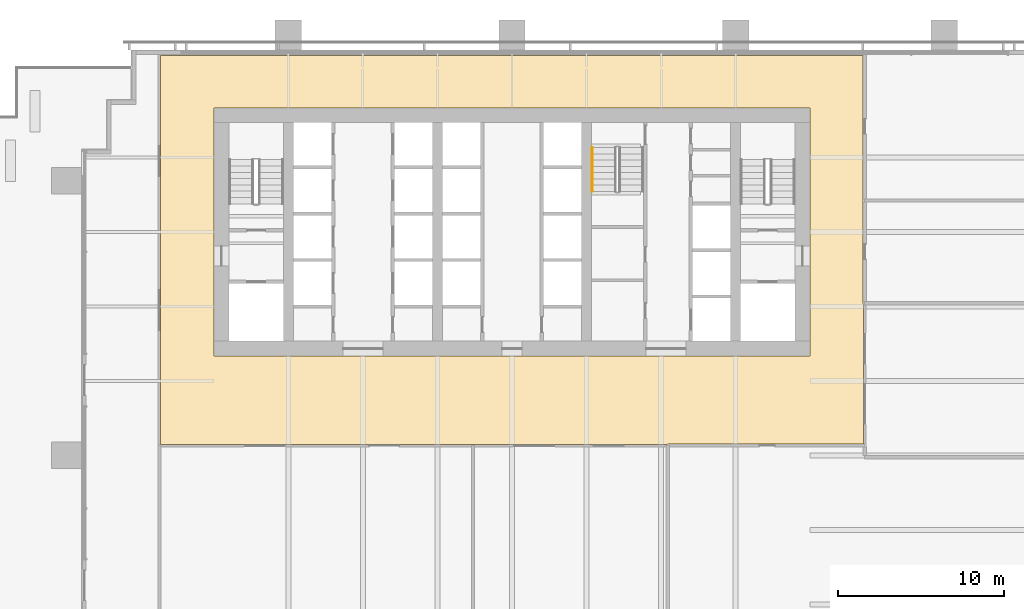
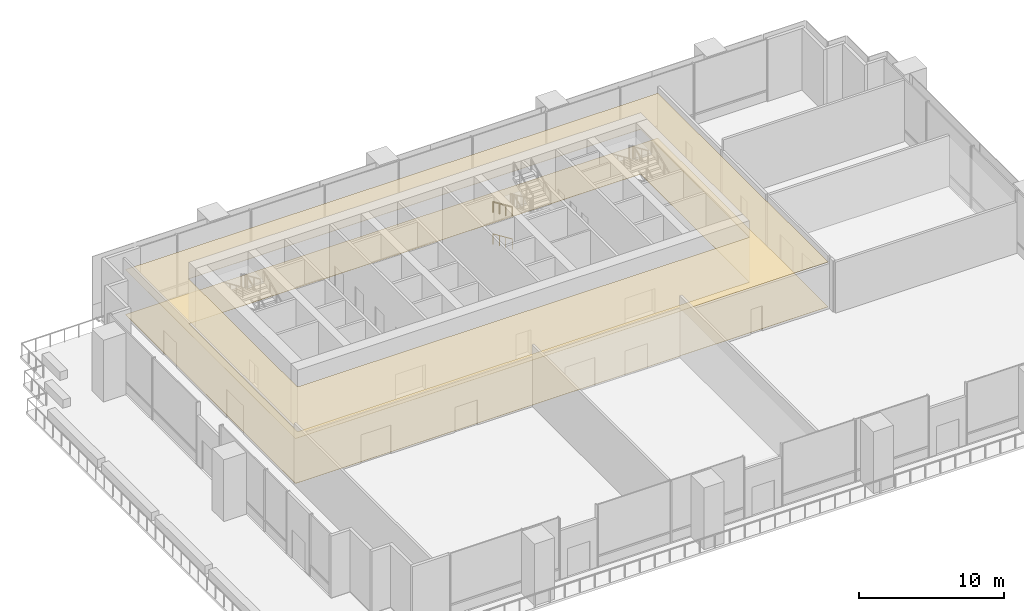
# One storey, part 13 of 15: 2 coverings, 2 railings.
"""IFC4 building model written with IfcOpenShell, lengths in metres."""

import ifcopenshell
import ifcopenshell.guid

model = None  # the IFC model being written
_history = None  # IfcOwnerHistory: only IFC2X3 demands one
_inside = {}  # id of a spatial element -> (the spatial element, [elements in it])
_under = {}  # id of a project, library or spatial element -> (it, [spatial elements below it])
_declared = {}  # id of a project -> (the project, [libraries it declares])
_typed = {}  # id of a type object -> (the type object, [elements of that type])
_made_of = {}  # id of a material, layer set ... -> (it, [elements and type objects made of it])


def new_model(schema):
    """Start an empty IFC model of exactly this schema.

    Asked for "IFC4X3", IfcOpenShell would pick the latest addendum, in which some entities
    have other attributes; the version numbers below select the first issue.
    IFC2X3 requires an IfcOwnerHistory on every rooted entity: one is made here for all.
    """
    global model, _history
    if schema == "IFC4X3":
        model = ifcopenshell.file(schema_version=(4, 3, 0, 0))
    else:
        model = ifcopenshell.file(schema=schema)
    _inside.clear()
    _under.clear()
    _declared.clear()
    _typed.clear()
    _made_of.clear()
    _history = None
    if model.schema == "IFC2X3":
        org = make("IfcOrganization", Name="unknown")
        user = make(
            "IfcPersonAndOrganization",
            ThePerson=make("IfcPerson", FamilyName="unknown"),
            TheOrganization=org,
        )
        app = make(
            "IfcApplication",
            ApplicationDeveloper=org,
            Version="unknown",
            ApplicationFullName="unknown",
            ApplicationIdentifier="unknown",
        )
        _history = make(
            "IfcOwnerHistory",
            OwningUser=user,
            OwningApplication=app,
            ChangeAction="ADDED",
            CreationDate=0,
        )
    return model


def make(cls, **values):
    """One entity of the class cls with the attributes given. An attribute that is None is left unset."""
    return model.create_entity(
        cls, **{name: value for name, value in values.items() if value is not None}
    )


def rooted(cls, **values):
    """An entity with a GlobalId (a new one), such as an element, a storey or a relation."""
    return make(cls, GlobalId=ifcopenshell.guid.new(), OwnerHistory=_history, **values)


def si_unit(unit_type, name, prefix=None):
    """IfcSIUnit, for example si_unit("LENGTHUNIT", "METRE", prefix="MILLI")."""
    return make("IfcSIUnit", UnitType=unit_type, Prefix=prefix, Name=name)


def assignment(units):
    """IfcUnitAssignment: the units of a project."""
    return None if units is None else make("IfcUnitAssignment", Units=units)


def point(xyz):
    """IfcCartesianPoint."""
    return None if xyz is None else make("IfcCartesianPoint", Coordinates=xyz)


def direction(xyz):
    """IfcDirection."""
    return None if xyz is None else make("IfcDirection", DirectionRatios=xyz)


def frame(location, z_axis=None, x_axis=None):
    """IfcAxis2Placement3D, a coordinate frame: its origin and axes. An axis left out is left unset."""
    return make(
        "IfcAxis2Placement3D",
        Location=point(location),
        Axis=direction(z_axis),
        RefDirection=direction(x_axis),
    )


def frame_2d(location, x_axis=None):
    """IfcAxis2Placement2D, a coordinate frame in the plane: its origin and x axis."""
    return make(
        "IfcAxis2Placement2D", Location=point(location), RefDirection=direction(x_axis)
    )


def origin():
    """The frame at (0, 0, 0) with its axes left unset."""
    return frame((0.0, 0.0, 0.0))


def origin_2d():
    """The frame at (0, 0) in the plane with its x axis left unset."""
    return frame_2d((0.0, 0.0))


def place(relative_to, where):
    """IfcLocalPlacement: puts the frame where relative to a parent placement (None: the world)."""
    return make(
        "IfcLocalPlacement", PlacementRelTo=relative_to, RelativePlacement=where
    )


def context(
    kind, dimensions, precision=None, world=None, true_north=None, identifier=None
):
    """IfcGeometricRepresentationContext, for example the 3D "Model" context."""
    return make(
        "IfcGeometricRepresentationContext",
        ContextIdentifier=identifier,
        ContextType=kind,
        CoordinateSpaceDimension=dimensions,
        Precision=precision,
        WorldCoordinateSystem=world,
        TrueNorth=true_north,
    )


def subcontext(parent, identifier, kind, view, scale=None):
    """IfcGeometricRepresentationSubContext, for example "Body" below "Model"."""
    return make(
        "IfcGeometricRepresentationSubContext",
        ContextIdentifier=identifier,
        ContextType=kind,
        ParentContext=parent,
        TargetScale=scale,
        TargetView=view,
    )


def project(units=None, contexts=None):
    """IfcProject with its units and contexts."""
    return rooted(
        "IfcProject",
        Name="project",
        RepresentationContexts=contexts,
        UnitsInContext=assignment(units),
    )


def spatial(cls, under=None, at=None, **own):
    """A site, building, storey or space (cls), placed at a placement, below another one or the project."""
    s = rooted(cls, ObjectPlacement=at, **own)
    if under is not None:
        _under.setdefault(under.id(), (under, []))[1].append(s)
    return s


def polyline(points):
    """IfcPolyline through the points."""
    return make("IfcPolyline", Points=[point(p) for p in points])


def profile(cls, at=None, kind="AREA", **sizes):
    """A parametric profile (cls). Its sizes go by their IFC names, for example OverallWidth=200.0."""
    return make(cls, ProfileType=kind, Position=at, **sizes)


def rectangle(**sizes):
    """IfcRectangleProfileDef."""
    return profile("IfcRectangleProfileDef", **sizes)


def outline(outer, holes=None, kind="AREA"):
    """IfcArbitraryClosedProfileDef: a profile drawn as a closed curve; with holes, ...WithVoids."""
    if holes is None:
        return make("IfcArbitraryClosedProfileDef", ProfileType=kind, OuterCurve=outer)
    return make(
        "IfcArbitraryProfileDefWithVoids",
        ProfileType=kind,
        OuterCurve=outer,
        InnerCurves=holes,
    )


def extrude(swept, where, along, depth):
    """IfcExtrudedAreaSolid: the profile swept, set in the frame where, extruded along a direction by depth."""
    return make(
        "IfcExtrudedAreaSolid",
        SweptArea=swept,
        Position=where,
        ExtrudedDirection=direction(along),
        Depth=depth,
    )


def shape(context_of_items, identifier, shape_type, items):
    """IfcShapeRepresentation: the items that make up one representation, for example the "Body"."""
    return make(
        "IfcShapeRepresentation",
        ContextOfItems=context_of_items,
        RepresentationIdentifier=identifier,
        RepresentationType=shape_type,
        Items=items,
    )


def material(Name=None, Category=None):
    """IfcMaterial."""
    return make("IfcMaterial", Name=Name, Category=Category)


def layer(
    of_material, thickness, ventilated=None, Name=None, Category=None, Priority=None
):
    """IfcMaterialLayer: one layer of a wall or slab, of a material (None: an air gap)."""
    return make(
        "IfcMaterialLayer",
        Material=of_material,
        LayerThickness=thickness,
        IsVentilated=ventilated,
        Name=Name,
        Category=Category,
        Priority=Priority,
    )


def layer_set(layers, Name=None):
    """IfcMaterialLayerSet."""
    return make("IfcMaterialLayerSet", MaterialLayers=layers, LayerSetName=Name)


def made_of(thing, what):
    """Note that an element or type object is made of a material, layer set ...; save() writes the relation."""
    if what is not None:
        _made_of.setdefault(what.id(), (what, []))[1].append(thing)
    return thing


def type_object(cls, material=None, **own):
    """A type object (cls), such as IfcWallType, which elements share."""
    return made_of(rooted(cls, **own), material)


def element(
    cls,
    number,
    at=None,
    inside=None,
    cuts=None,
    type_object=None,
    material=None,
    context=None,
    identifier="Body",
    shape_type=None,
    held_by="IfcProductDefinitionShape",
    body=None,
    shapes=None,
    **own,
):
    """One element of the class cls, such as IfcWall. Its Tag is "e" and its number.

    at: its placement. inside: the storey or other place that contains it. cuts: it is an
    opening in that element (IfcRelVoidsElement). A single representation is given by context,
    identifier, shape_type and body (its items); several are given by shapes. held_by: the class
    of the entity that holds the representations. save() writes the other relations.
    """
    e = rooted(cls, Tag="e%d" % number, ObjectPlacement=at, **own)
    if body is not None:
        shapes = [shape(context, identifier, shape_type, body)]
    if shapes is not None:
        e.Representation = make(held_by, Representations=shapes)
    if inside is not None:
        _inside.setdefault(inside.id(), (inside, []))[1].append(e)
    if cuts is not None:
        rooted(
            "IfcRelVoidsElement", RelatingBuildingElement=cuts, RelatedOpeningElement=e
        )
    if type_object is not None:
        _typed.setdefault(type_object.id(), (type_object, []))[1].append(e)
    return made_of(e, material)


def aggregate(whole, parts):
    """IfcRelAggregates: a whole, such as a stair, and the parts it consists of."""
    return rooted("IfcRelAggregates", RelatingObject=whole, RelatedObjects=parts)


def save(model, path):
    """Write the relations noted so far, then the file.

    IfcRelAggregates (storeys below a building ...), IfcRelContainedInSpatialStructure (elements
    in a storey), IfcRelDefinesByType, IfcRelAssociatesMaterial and IfcRelDeclares: one each for
    every whole, place, type object, material and project.
    """
    for whole, parts in _under.values():
        aggregate(whole, parts)
    for where, things in _inside.values():
        rooted(
            "IfcRelContainedInSpatialStructure",
            RelatedElements=things,
            RelatingStructure=where,
        )
    for kind, things in _typed.values():
        rooted("IfcRelDefinesByType", RelatedObjects=things, RelatingType=kind)
    for what, things in _made_of.values():
        rooted("IfcRelAssociatesMaterial", RelatedObjects=things, RelatingMaterial=what)
    for by, libraries in _declared.values():
        rooted("IfcRelDeclares", RelatingContext=by, RelatedDefinitions=libraries)
    model.write(path)


model = new_model("IFC4")

# Units and contexts
model_context = context("Model", 3, precision=1e-05, world=origin(), true_north=direction((0.0, 1.0)))
body_context = subcontext(model_context, "Body", "Model", "MODEL_VIEW")
ifc_project = project(units=[si_unit("LENGTHUNIT", "METRE"), si_unit("AREAUNIT", "SQUARE_METRE"), si_unit("VOLUMEUNIT", "CUBIC_METRE"), si_unit("PLANEANGLEUNIT", "RADIAN"), si_unit("MASSUNIT", "GRAM", prefix="KILO")], contexts=[model_context])

# Site, building, storey
site_placement = place(None, origin())
site = spatial("IfcSite", under=ifc_project, at=site_placement, CompositionType="ELEMENT")
building_placement = place(site_placement, origin())
building = spatial("IfcBuilding", under=site, at=building_placement, Name="Rattan Terrace Tower", CompositionType="ELEMENT")
storey_placement = place(building_placement, frame((0.0, 0.0, 74.300048828125)))
storey = spatial("IfcBuildingStorey", under=building, at=storey_placement, Name="L16", CompositionType="ELEMENT", Elevation=74.300048828125)

# Railings
ifc_material_1 = material(Name="Powder-coated steel handrail", Category="steel")
railing_type = type_object("IfcRailingType", Name="Core stair handrail", PredefinedType="HANDRAIL", material=ifc_material_1)
railing_1_placement = place(storey_placement, frame((4.85009765625, 5.10009765625, 0.168701171875)))
element("IfcRailing", 1, at=railing_1_placement, inside=storey, type_object=railing_type, Name="L16 S3 stair handrail 1", PredefinedType="HANDRAIL", context=body_context, shape_type="SweptSolid", body=[
    extrude(rectangle(XDim=0.048095703125, YDim=0.048095703125, at=origin_2d()), frame((0.0, 0.0, 0.8759765625), z_axis=(0.0, -0.913956766905, 0.405811567391), x_axis=(1.0, 0.0, 0.0)), (0.0, 0.0, 1.0), 2.91064453125),
    extrude(rectangle(XDim=0.0419921875, YDim=0.0419921875, at=origin_2d()), origin(), (0.0, 0.0, 1.0), 0.851806640625),
    extrude(rectangle(XDim=0.0419921875, YDim=0.0419921875, at=origin_2d()), frame((0.0, -0.88671875, 0.393798828125)), (0.0, 0.0, 1.0), 0.851806640625),
    extrude(rectangle(XDim=0.0419921875, YDim=0.0419921875, at=origin_2d()), frame((0.0, -1.7734375, 0.787353515625)), (0.0, 0.0, 1.0), 0.851806640625),
    extrude(rectangle(XDim=0.0419921875, YDim=0.0419921875, at=origin_2d()), frame((0.0, -2.66015625, 1.18115234375)), (0.0, 0.0, 1.0), 0.851806640625),
])
railing_2_placement = place(storey_placement, frame((4.85009765625, 5.10009765625, 2.86865234375)))
element("IfcRailing", 2, at=railing_2_placement, inside=storey, type_object=railing_type, Name="L16 S3 stair handrail 3", PredefinedType="HANDRAIL", context=body_context, shape_type="SweptSolid", body=[
    extrude(rectangle(XDim=0.048095703125, YDim=0.048095703125, at=origin_2d()), frame((0.0, 0.0, 0.8759765625), z_axis=(0.0, -0.913925654661, 0.405881630223), x_axis=(1.0, 0.0, 0.0)), (0.0, 0.0, 1.0), 2.91064453125),
    extrude(rectangle(XDim=0.0419921875, YDim=0.0419921875, at=origin_2d()), origin(), (0.0, 0.0, 1.0), 0.851806640625),
    extrude(rectangle(XDim=0.0419921875, YDim=0.0419921875, at=origin_2d()), frame((0.0, -0.88671875, 0.393798828125)), (0.0, 0.0, 1.0), 0.851806640625),
    extrude(rectangle(XDim=0.0419921875, YDim=0.0419921875, at=origin_2d()), frame((0.0, -1.7734375, 0.78759765625)), (0.0, 0.0, 1.0), 0.851806640625),
    extrude(rectangle(XDim=0.0419921875, YDim=0.0419921875, at=origin_2d()), frame((0.0, -2.66015625, 1.181396484375)), (0.0, 0.0, 1.0), 0.851806640625),
])

# Coverings
ifc_material_2 = material(Name="Polished limestone", Category="masonry")
ifc_layer_1 = layer(ifc_material_2, 0.02001953125)
ifc_layer_set_1 = layer_set([ifc_layer_1], Name="Lobby Floor Finish Stone 20")
covering_type_1 = type_object("IfcCoveringType", Name="Lobby Floor Finish Stone 20", PredefinedType="FLOORING", material=ifc_layer_set_1)
covering_1_placement = place(storey_placement, origin())
element("IfcCovering", 3, at=covering_1_placement, inside=storey, type_object=covering_type_1, Name="Floor finish L16-101", PredefinedType="FLOORING", context=body_context, shape_type="SweptSolid", body=[
    extrude(outline(polyline([(21.199951171875, -4.320068359375), (21.199951171875, 10.659912109375), (-21.22509765625, 10.659912109375), (-21.22509765625, -12.824951171875), (9.39208984375, -12.824951171875), (9.39208984375, -12.800048828125), (21.22509765625, -12.800048828125), (21.22509765625, -4.320068359375), (21.199951171875, -4.320068359375)]), holes=[polyline([(-18.0, -7.5), (18.0, -7.5), (18.0, 7.5), (-18.0, 7.5), (-18.0, -7.5)])]), origin(), (0.0, 0.0, 1.0), 0.02001953125),
])
ifc_material_3 = material(Name="Gypsum board, painted")
ifc_layer_2 = layer(ifc_material_3, 0.02490234375)
ifc_layer_set_2 = layer_set([ifc_layer_2], Name="Suspended Ceiling Gypsum 25")
covering_type_2 = type_object("IfcCoveringType", Name="Suspended Ceiling Gypsum 25", PredefinedType="CEILING", material=ifc_layer_set_2)
covering_2_placement = place(storey_placement, frame((0.0, 0.0, 3.77490234375)))
element("IfcCovering", 4, at=covering_2_placement, inside=storey, type_object=covering_type_2, Name="Ceiling L16-101", PredefinedType="CEILING", context=body_context, shape_type="SweptSolid", body=[
    extrude(outline(polyline([(21.199951171875, -4.320068359375), (21.199951171875, 10.659912109375), (-21.22509765625, 10.659912109375), (-21.22509765625, -12.824951171875), (9.39208984375, -12.824951171875), (9.39208984375, -12.800048828125), (21.22509765625, -12.800048828125), (21.22509765625, -4.320068359375), (21.199951171875, -4.320068359375)]), holes=[polyline([(-18.0, -7.5), (18.0, -7.5), (18.0, 7.5), (-18.0, 7.5), (-18.0, -7.5)])]), origin(), (0.0, 0.0, 1.0), 0.025146484375),
])

save(model, "model.ifc")
